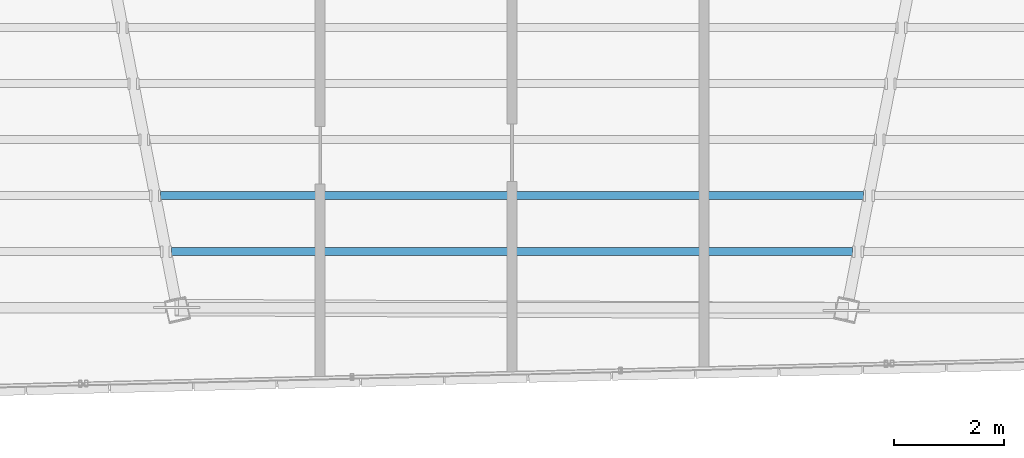
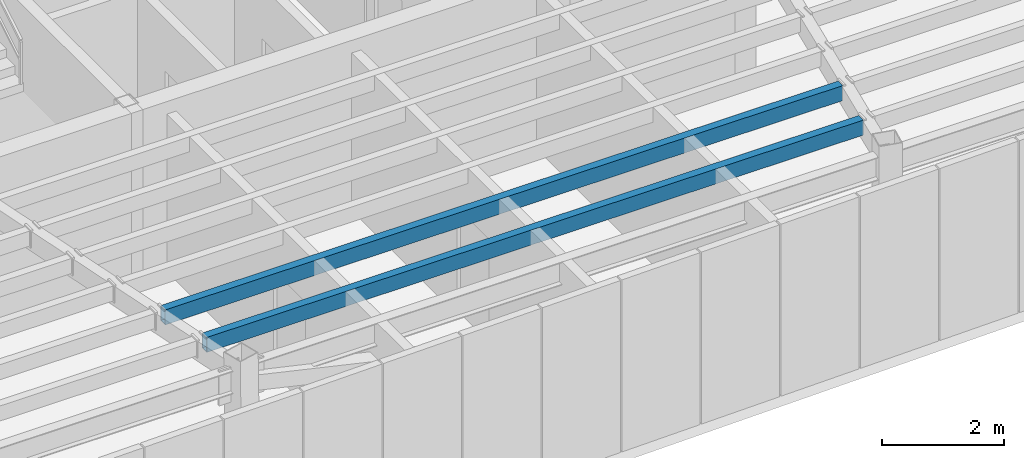
# One storey, part 14 of 48: 2 beams.
"""IFC4 building model written with IfcOpenShell, lengths in metres."""

from ifc_helpers import new_model, si_unit, direction, frame, origin, origin_2d, place, context, subcontext, project, spatial, hollow_rectangle, extrude, source, transform, mapped, material, material_profile, profile_set, type_object, type_shapes, element, save


model = new_model("IFC4")

# Units and contexts
model_context = context("Model", 3, precision=1e-05, world=origin(), true_north=direction((0.0, 1.0)))
body_context = subcontext(model_context, "Body", "Model", "MODEL_VIEW")
ifc_project = project(units=[si_unit("LENGTHUNIT", "METRE"), si_unit("AREAUNIT", "SQUARE_METRE"), si_unit("VOLUMEUNIT", "CUBIC_METRE"), si_unit("PLANEANGLEUNIT", "RADIAN"), si_unit("MASSUNIT", "GRAM", prefix="KILO")], contexts=[model_context])

# Site, building, storey
site_placement = place(None, origin())
site = spatial("IfcSite", under=ifc_project, at=site_placement, CompositionType="ELEMENT")
building_placement = place(site_placement, origin())
building = spatial("IfcBuilding", under=site, at=building_placement, Name="Caelisora Broadcast Tower", CompositionType="ELEMENT")
storey_placement = place(building_placement, frame((0.0, 0.0, 300.0)))
storey = spatial("IfcBuildingStorey", under=building, at=storey_placement, Name="L79", CompositionType="ELEMENT", Elevation=300.0)

# Beams
ifc_material = material(Name="Steel Grade 350 (AS/NZS 1163 C350L0)", Category="steel")
ifc_material_profile = material_profile(ifc_material, hollow_rectangle(XDim=0.14990234375, YDim=0.300048828125, WallThickness=0.010009765625, at=origin_2d()), Name="Steel Grade 350 (AS/NZS 1163 C350L0)")
ifc_profile_set = profile_set([ifc_material_profile], Name="Steel Grade 350 (AS/NZS 1163 C350L0)")
beam_type = type_object("IfcBeamType", Name="SB05", PredefinedType="JOIST", material=ifc_profile_set)
shared_shape_1 = source(origin(), body_context, "Body", "SweptSolid", [
    extrude(hollow_rectangle(XDim=0.14990234375, YDim=0.300048828125, WallThickness=0.010009765625, at=origin_2d()), origin(), (0.0, 0.0, 1.0), 12.8203125),
])
beam_1_placement = place(storey_placement, frame((31.58984375, 12.29296875, 3.0), z_axis=(1.0, 0.0, 0.0), x_axis=(0.0, 1.0, 0.0)))
element("IfcBeam", 1, at=beam_1_placement, inside=storey, type_object=beam_type, Name="L79 beam SB05", PredefinedType="JOIST", context=body_context, shape_type="MappedRepresentation", body=[
    mapped(shared_shape_1, transform((0.0, 0.0, 0.0), scale=1.0)),
])
shared_shape_2 = source(origin(), body_context, "Body", "SweptSolid", [
    extrude(hollow_rectangle(XDim=0.14990234375, YDim=0.300048828125, WallThickness=0.010009765625, at=origin_2d()), origin(), (0.0, 0.0, 1.0), 12.423828125),
])
type_shapes(beam_type, [shared_shape_1, shared_shape_2])
beam_2_placement = place(storey_placement, frame((31.7880859375, 11.271484375, 3.0), z_axis=(1.0, 0.0, 0.0), x_axis=(0.0, 1.0, 0.0)))
element("IfcBeam", 2, at=beam_2_placement, inside=storey, type_object=beam_type, Name="L79 beam SB05", PredefinedType="JOIST", context=body_context, shape_type="MappedRepresentation", body=[
    mapped(shared_shape_2, transform((0.0, 0.0, 0.0), scale=1.0)),
])

save(model, "model.ifc")
